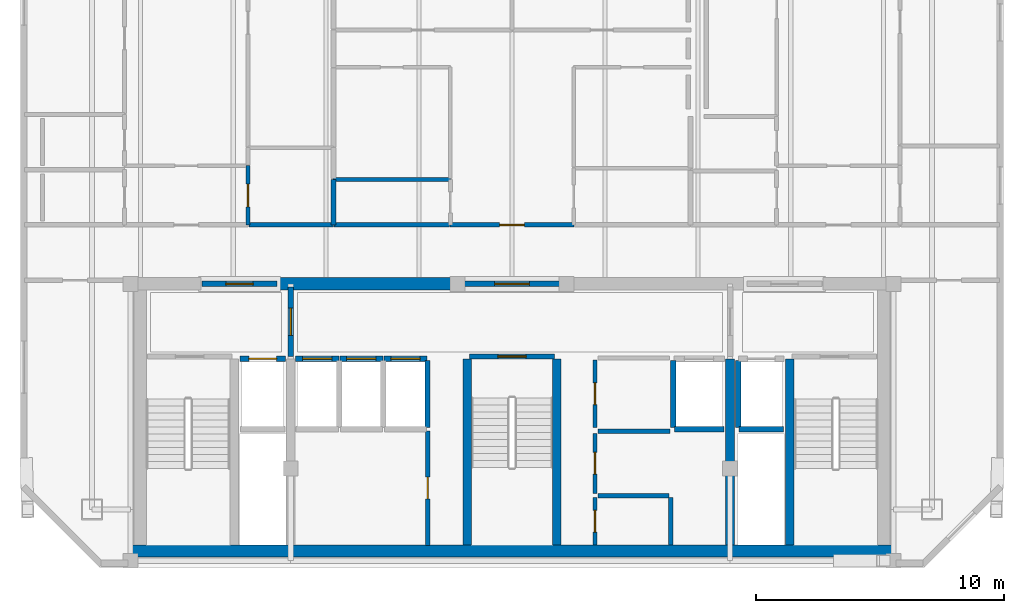
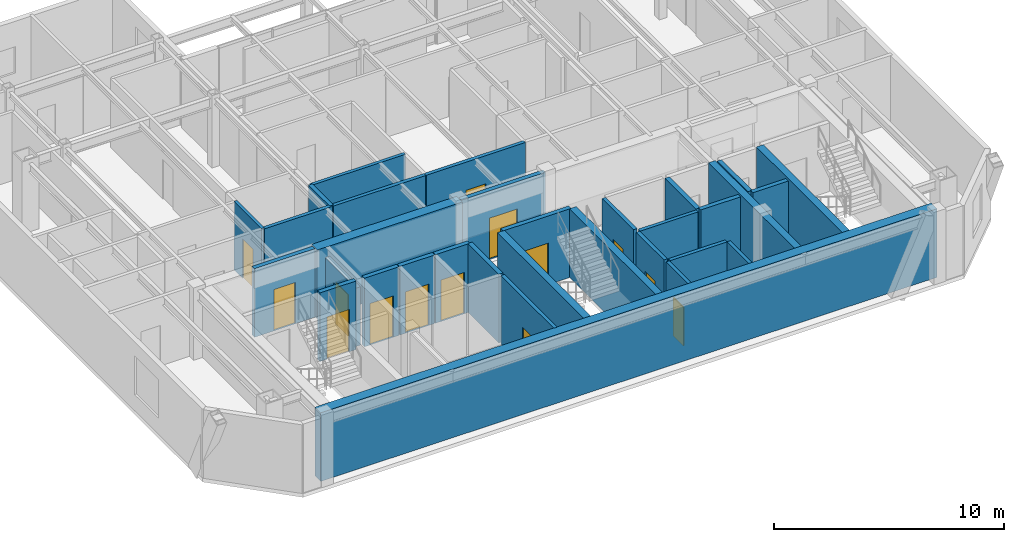
# One storey, part 6 of 10: 32 walls, 14 doors, 14 openings.
"""IFC4 building model written with IfcOpenShell, lengths in metres."""

from ifc_helpers import new_model, si_unit, direction, frame, frame_2d, origin, place, context, subcontext, project, spatial, rectangle, extrude, material, layer, layer_set, type_object, element, fill, save


model = new_model("IFC4")

# Units and contexts
model_context = context("Model", 3, precision=1e-05, world=origin(), true_north=direction((0.0, 1.0)))
body_context = subcontext(model_context, "Body", "Model", "MODEL_VIEW")
ifc_project = project(units=[si_unit("LENGTHUNIT", "METRE"), si_unit("AREAUNIT", "SQUARE_METRE"), si_unit("VOLUMEUNIT", "CUBIC_METRE"), si_unit("PLANEANGLEUNIT", "RADIAN"), si_unit("MASSUNIT", "GRAM", prefix="KILO")], contexts=[model_context])

# Site, building, storey
site_placement = place(None, origin())
site = spatial("IfcSite", under=ifc_project, at=site_placement, CompositionType="ELEMENT")
building_placement = place(site_placement, origin())
building = spatial("IfcBuilding", under=site, at=building_placement, Name="Ventersveld Concourse Tower", CompositionType="ELEMENT")
storey_placement = place(building_placement, frame((0.0, 0.0, 313.050048828125)))
storey = spatial("IfcBuildingStorey", under=building, at=storey_placement, Name="L77", CompositionType="ELEMENT", Elevation=313.050048828125)

# Walls
ifc_material_1 = material(Name="Concrete C50/60", Category="concrete")
ifc_layer_1 = layer(ifc_material_1, 0.35009765625)
ifc_layer_set_1 = layer_set([ifc_layer_1], Name="Concrete C50/60")
wall_type_1 = type_object("IfcWallType", Name="WL-CORE-350U", PredefinedType="SHEAR", material=ifc_layer_set_1)
for number, where, z_axis, x_axis, name in (
    (1, (26.93994140625, 0.919921875, 0.0), (0.0, 0.0, 1.0), (0.0, 1.0, 0.0), "L77 Core Internal Shear Web W-ST3-W"),
    (2, (30.56005859375, 0.919921875, 0.0), (0.0, 0.0, 1.0), (0.0, 1.0, 0.0), "L77 Core Internal Shear Web W-ST3-E"),
    (3, (37.550048828125, 0.919921875, 0.0), (0.0, 0.0, 1.0), (0.0, 1.0, 0.0), "L77 Core Internal Shear Web W-SVL-W"),
    (4, (39.9599609375, 0.919921875, 0.0), (0.0, 0.0, 1.0), (0.0, 1.0, 0.0), "L77 Core Internal Shear Web W-ST2-W"),
):
    element("IfcWall", number, at=place(storey_placement, frame(where, z_axis=z_axis, x_axis=x_axis)), inside=storey, type_object=wall_type_1, Name=name, PredefinedType="SHEAR", context=body_context, shape_type="SweptSolid", body=[
        extrude(rectangle(XDim=7.5, YDim=0.35009765625, at=frame_2d((3.75, 0.0))), origin(), (0.0, 0.0, 1.0), 3.64990234375),
    ])
ifc_layer_2 = layer(ifc_material_1, 0.5)
ifc_layer_set_2 = layer_set([ifc_layer_2], Name="Concrete C50/60")
wall_type_2 = type_object("IfcWallType", Name="WL-CORE-500", PredefinedType="SHEAR", material=ifc_layer_set_2)
wall_1_placement = place(storey_placement, frame((13.25, 0.669921875, 0.0), z_axis=(0.0, 0.0, 1.0), x_axis=(1.0, 0.0, 0.0)))
element("IfcWall", 5, at=wall_1_placement, inside=storey, type_object=wall_type_2, Name="L77 Rear Core South Shear Wall", PredefinedType="SHEAR", context=body_context, shape_type="SweptSolid", body=[
    extrude(rectangle(XDim=31.0, YDim=0.5, at=frame_2d((15.5, 0.0))), origin(), (0.0, 0.0, 1.0), 3.64990234375),
])
wall_2_placement = place(storey_placement, frame((19.300048828125, 11.449951171875, 0.0), z_axis=(0.0, 0.0, 1.0), x_axis=(1.0, 0.0, 0.0)))
element("IfcWall", 6, at=wall_2_placement, inside=storey, type_object=wall_type_2, Name="L77 Rear Core North Shear Wall NML", PredefinedType="SHEAR", context=body_context, shape_type="SweptSolid", body=[
    extrude(rectangle(XDim=7.300048828125, YDim=0.5, at=frame_2d((3.64990234375, 0.0))), origin(), (0.0, 0.0, 1.0), 3.64990234375),
])

# Wall, opening, door
ifc_material_2 = material(Name="Fire-rated autoclaved aerated masonry blockwork", Category="masonry")
ifc_layer_3 = layer(ifc_material_2, 0.179931640625)
ifc_layer_set_3 = layer_set([ifc_layer_3], Name="Fire-rated autoclaved aerated masonry blockwork")
wall_type_3 = type_object("IfcWallType", Name="WL-CORR-180", PredefinedType="PARTITIONING", material=ifc_layer_set_3)
wall_3_placement = place(storey_placement, frame((25.35009765625, 0.89990234375, 0.0), z_axis=(0.0, 0.0, 1.0), x_axis=(0.0, 1.0, 0.0)))
wall_3 = element("IfcWall", 7, at=wall_3_placement, inside=storey, type_object=wall_type_3, Name="L77 Core Passage Wall SP-L77-RECB1A", PredefinedType="PARTITIONING", context=body_context, shape_type="SweptSolid", body=[
    extrude(rectangle(XDim=4.6201171875, YDim=0.179931640625, at=frame_2d((2.31005859375, 0.0))), origin(), (0.0, 0.0, 1.0), 3.64990234375),
])
opening_1_placement = place(wall_3_placement, frame((1.8701171875, 0.0, 0.0)))
opening_1 = element("IfcOpeningElement", 8, at=opening_1_placement, cuts=wall_3, Name="Opening FD5", PredefinedType="OPENING", context=body_context, shape_type="SweptSolid", body=[
    extrude(rectangle(XDim=0.8798828125, YDim=2.050048828125, at=frame_2d((0.43994140625, 1.02490234375))), frame((0.0, 0.10009765625, 0.0), z_axis=(0.0, -1.0, 0.0), x_axis=(1.0, 0.0, 0.0)), (0.0, 0.0, 1.0), 0.199951171875),
])
ifc_material_3 = material(Name="Galvanised painted steel", Category="steel")
door_type_1 = type_object("IfcDoorType", Name="DR-RISER-088", OperationType="NOTDEFINED", PredefinedType="DOOR", material=ifc_material_3)
door_1_placement = place(opening_1_placement, origin())
door_1 = element("IfcDoor", 9, at=door_1_placement, inside=storey, type_object=door_type_1, Name="L77 Core Room Door L77 Reclaimed Core Meeting Pod (CD-L77-3521)", OperationType="SINGLE_SWING_RIGHT", OverallHeight=2.050048828125, OverallWidth=0.8798828125, PredefinedType="DOOR", context=body_context, shape_type="SweptSolid", body=[
    extrude(rectangle(XDim=0.8798828125, YDim=2.050048828125, at=frame_2d((0.43994140625, 1.02490234375))), frame((0.0, 0.02490234375, 0.0), z_axis=(0.0, -1.0, 0.0), x_axis=(1.0, 0.0, 0.0)), (0.0, 0.0, 1.0), 0.050048828125),
])
fill(opening_1, door_1)

wall_4_placement = place(storey_placement, frame((32.10009765625, 0.919921875, 0.0), z_axis=(0.0, 0.0, 1.0), x_axis=(0.0, 1.0, 0.0)))
wall_4 = element("IfcWall", 10, at=wall_4_placement, inside=storey, type_object=wall_type_3, Name="L77 Core Passage Wall SP-L77-RECB2S", PredefinedType="PARTITIONING", context=body_context, shape_type="SweptSolid", body=[
    extrude(rectangle(XDim=1.900146484375, YDim=0.179931640625, at=frame_2d((0.9501953125, 0.0))), origin(), (0.0, 0.0, 1.0), 3.64990234375),
])
opening_2_placement = place(wall_4_placement, frame((0.510009765625, 0.0, 0.0)))
opening_2 = element("IfcOpeningElement", 11, at=opening_2_placement, cuts=wall_4, Name="Opening FD5", PredefinedType="OPENING", context=body_context, shape_type="SweptSolid", body=[
    extrude(rectangle(XDim=0.8798828125, YDim=2.050048828125, at=frame_2d((0.43994140625, 1.02490234375))), frame((0.0, 0.10009765625, 0.0), z_axis=(0.0, -1.0, 0.0), x_axis=(1.0, 0.0, 0.0)), (0.0, 0.0, 1.0), 0.199951171875),
])
door_2_placement = place(opening_2_placement, origin())
door_2 = element("IfcDoor", 12, at=door_2_placement, inside=storey, type_object=door_type_1, Name="L77 Core Room Door L77 Reclaimed Core Archive Store (CD-L77-3522)", OperationType="SINGLE_SWING_LEFT", OverallHeight=2.050048828125, OverallWidth=0.8798828125, PredefinedType="DOOR", context=body_context, shape_type="SweptSolid", body=[
    extrude(rectangle(XDim=0.8798828125, YDim=2.050048828125, at=frame_2d((0.43994140625, 1.02490234375))), frame((0.0, 0.02490234375, 0.0), z_axis=(0.0, -1.0, 0.0), x_axis=(1.0, 0.0, 0.0)), (0.0, 0.0, 1.0), 0.050048828125),
])
fill(opening_2, door_2)

# Walls
wall_5_placement = place(storey_placement, frame((32.219970703125, 2.89990234375, 0.0), z_axis=(0.0, 0.0, 1.0), x_axis=(1.0, 0.0, 0.0)))
element("IfcWall", 13, at=wall_5_placement, inside=storey, type_object=wall_type_3, Name="L77 Core Top Wall SP-L77-RECB2S", PredefinedType="PARTITIONING", context=body_context, shape_type="SweptSolid", body=[
    extrude(rectangle(XDim=2.860107421875, YDim=0.179931640625, at=frame_2d((1.43017578125, 0.0))), origin(), (0.0, 0.0, 1.0), 3.64990234375),
])
wall_6_placement = place(storey_placement, frame((35.159912109375, 0.919921875, 0.0), z_axis=(0.0, 0.0, 1.0), x_axis=(0.0, 1.0, 0.0)))
element("IfcWall", 14, at=wall_6_placement, inside=storey, type_object=wall_type_3, Name="L77 Core East Wall SP-L77-RECB2S", PredefinedType="PARTITIONING", context=body_context, shape_type="SweptSolid", body=[
    extrude(rectangle(XDim=1.900146484375, YDim=0.179931640625, at=frame_2d((0.9501953125, 0.0))), origin(), (0.0, 0.0, 1.0), 3.64990234375),
])

# Wall, opening, door
wall_7_placement = place(storey_placement, frame((32.10009765625, 3.0, 0.0), z_axis=(0.0, 0.0, 1.0), x_axis=(0.0, 1.0, 0.0)))
wall_7 = element("IfcWall", 15, at=wall_7_placement, inside=storey, type_object=wall_type_3, Name="L77 Core Passage Wall SP-L77-RECB2N", PredefinedType="PARTITIONING", context=body_context, shape_type="SweptSolid", body=[
    extrude(rectangle(XDim=2.419921875, YDim=0.179931640625, at=frame_2d((1.2099609375, 0.0))), origin(), (0.0, 0.0, 1.0), 3.64990234375),
])
opening_3_placement = place(wall_7_placement, frame((0.77001953125, 0.0, 0.0)))
opening_3 = element("IfcOpeningElement", 16, at=opening_3_placement, cuts=wall_7, Name="Opening FD5", PredefinedType="OPENING", context=body_context, shape_type="SweptSolid", body=[
    extrude(rectangle(XDim=0.8798828125, YDim=2.050048828125, at=frame_2d((0.43994140625, 1.02490234375))), frame((0.0, 0.10009765625, 0.0), z_axis=(0.0, -1.0, 0.0), x_axis=(1.0, 0.0, 0.0)), (0.0, 0.0, 1.0), 0.199951171875),
])
door_3_placement = place(opening_3_placement, origin())
door_3 = element("IfcDoor", 17, at=door_3_placement, inside=storey, type_object=door_type_1, Name="L77 Core Room Door L77 Reclaimed Core Housekeeping Room (CD-L77-3523)", OperationType="SINGLE_SWING_RIGHT", OverallHeight=2.050048828125, OverallWidth=0.8798828125, PredefinedType="DOOR", context=body_context, shape_type="SweptSolid", body=[
    extrude(rectangle(XDim=0.8798828125, YDim=2.050048828125, at=frame_2d((0.43994140625, 1.02490234375))), frame((0.0, 0.02490234375, 0.0), z_axis=(0.0, -1.0, 0.0), x_axis=(1.0, 0.0, 0.0)), (0.0, 0.0, 1.0), 0.050048828125),
])
fill(opening_3, door_3)

# Wall
wall_8_placement = place(storey_placement, frame((32.219970703125, 5.5, 0.0), z_axis=(0.0, 0.0, 1.0), x_axis=(1.0, 0.0, 0.0)))
element("IfcWall", 18, at=wall_8_placement, inside=storey, type_object=wall_type_3, Name="L77 Core Top Wall SP-L77-RECB2N", PredefinedType="PARTITIONING", context=body_context, shape_type="SweptSolid", body=[
    extrude(rectangle(XDim=2.900146484375, YDim=0.179931640625, at=frame_2d((1.4501953125, 0.0))), origin(), (0.0, 0.0, 1.0), 3.64990234375),
])

# Wall, opening, door
wall_9_placement = place(storey_placement, frame((32.10009765625, 5.64990234375, 0.0), z_axis=(0.0, 0.0, 1.0), x_axis=(0.0, 1.0, 0.0)))
wall_9 = element("IfcWall", 19, at=wall_9_placement, inside=storey, type_object=wall_type_3, Name="L77 Core Passage Wall SP-L77-CBAY1", PredefinedType="PARTITIONING", context=body_context, shape_type="SweptSolid", body=[
    extrude(rectangle(XDim=2.72998046875, YDim=0.179931640625, at=frame_2d((1.364990234375, 0.0))), origin(), (0.0, 0.0, 1.0), 3.64990234375),
])
opening_4_placement = place(wall_9_placement, frame((0.925048828125, 0.0, 0.0)))
opening_4 = element("IfcOpeningElement", 20, at=opening_4_placement, cuts=wall_9, Name="Opening FD5", PredefinedType="OPENING", context=body_context, shape_type="SweptSolid", body=[
    extrude(rectangle(XDim=0.8798828125, YDim=2.050048828125, at=frame_2d((0.43994140625, 1.02490234375))), frame((0.0, 0.10009765625, 0.0), z_axis=(0.0, -1.0, 0.0), x_axis=(1.0, 0.0, 0.0)), (0.0, 0.0, 1.0), 0.199951171875),
])
door_4_placement = place(opening_4_placement, origin())
door_4 = element("IfcDoor", 21, at=door_4_placement, inside=storey, type_object=door_type_1, Name="L77 Core Room Door L77 Core Parcel Store (CD-L77-3524)", OperationType="SINGLE_SWING_LEFT", OverallHeight=2.050048828125, OverallWidth=0.8798828125, PredefinedType="DOOR", context=body_context, shape_type="SweptSolid", body=[
    extrude(rectangle(XDim=0.8798828125, YDim=2.050048828125, at=frame_2d((0.43994140625, 1.02490234375))), frame((0.0, 0.02490234375, 0.0), z_axis=(0.0, -1.0, 0.0), x_axis=(1.0, 0.0, 0.0)), (0.0, 0.0, 1.0), 0.050048828125),
])
fill(opening_4, door_4)

# Wall
wall_10_placement = place(storey_placement, frame((18.126708984375, 13.830078125, 0.0), z_axis=(0.0, 0.0, 1.0), x_axis=(1.0, 0.0, 0.0)))
element("IfcWall", 22, at=wall_10_placement, inside=storey, type_object=wall_type_3, Name="L77 Interior Partition SP-L77-COR-SP-L77-77CW-KIT", PredefinedType="PARTITIONING", context=body_context, shape_type="SweptSolid", body=[
    extrude(rectangle(XDim=3.418212890625, YDim=0.179931640625, at=frame_2d((1.708984375, 0.0))), origin(), (0.0, 0.0, 1.0), 3.64990234375),
])

# Wall, opening, door
wall_11_placement = place(storey_placement, frame((26.2548828125, 13.830078125, 0.0), z_axis=(0.0, 0.0, 1.0), x_axis=(1.0, 0.0, 0.0)))
wall_11 = element("IfcWall", 23, at=wall_11_placement, inside=storey, type_object=wall_type_3, Name="L77 Interior Partition SP-L77-COR-SP-L77-77CM-LIV", PredefinedType="PARTITIONING", context=body_context, shape_type="SweptSolid", body=[
    extrude(rectangle(XDim=4.990234375, YDim=0.179931640625, at=frame_2d((2.4951171875, 0.0))), origin(), (0.0, 0.0, 1.0), 3.64990234375),
])
opening_5_placement = place(wall_11_placement, frame((1.9951171875, 0.0, 0.0)))
opening_5 = element("IfcOpeningElement", 24, at=opening_5_placement, cuts=wall_11, Name="Opening FD3", PredefinedType="OPENING", context=body_context, shape_type="SweptSolid", body=[
    extrude(rectangle(XDim=1.0, YDim=2.14990234375, at=frame_2d((0.5, 1.074951171875))), frame((0.0, 0.10009765625, 0.0), z_axis=(0.0, -1.0, 0.0), x_axis=(1.0, 0.0, 0.0)), (0.0, 0.0, 1.0), 0.199951171875),
])
ifc_material_4 = material(Name="Solid-core hardwood veneer timber", Category="wood")
door_type_2 = type_object("IfcDoorType", Name="DR-FLAT-100", OperationType="NOTDEFINED", PredefinedType="DOOR", material=ifc_material_4)
door_5_placement = place(opening_5_placement, origin())
door_5 = element("IfcDoor", 25, at=door_5_placement, inside=storey, type_object=door_type_2, Name="L77 Interior Door SP-L77-COR to SP-L77-77CM-LIV (FD-L77-3529)", OperationType="SINGLE_SWING_LEFT", OverallHeight=2.14990234375, OverallWidth=1.0, PredefinedType="DOOR", context=body_context, shape_type="SweptSolid", body=[
    extrude(rectangle(XDim=1.0, YDim=2.14990234375, at=frame_2d((0.5, 1.074951171875))), frame((0.0, 0.02490234375, 0.0), z_axis=(0.0, -1.0, 0.0), x_axis=(1.0, 0.0, 0.0)), (0.0, 0.0, 1.0), 0.050048828125),
])
fill(opening_5, door_5)

# Walls
wall_12_placement = place(storey_placement, frame((21.574951171875, 13.830078125, 0.0), z_axis=(0.0, 0.0, 1.0), x_axis=(1.0, 0.0, 0.0)))
element("IfcWall", 26, at=wall_12_placement, inside=storey, type_object=wall_type_3, Name="L77 Interior Partition SP-L77-COR-SP-L77-77CM-BATH", PredefinedType="PARTITIONING", context=body_context, shape_type="SweptSolid", body=[
    extrude(rectangle(XDim=4.650146484375, YDim=0.179931640625, at=frame_2d((2.3251953125, 0.0))), origin(), (0.0, 0.0, 1.0), 3.64990234375),
])
ifc_layer_4 = layer(ifc_material_2, 0.199951171875)
ifc_layer_set_4 = layer_set([ifc_layer_4], Name="Fire-rated autoclaved aerated masonry blockwork")
wall_type_4 = type_object("IfcWallType", Name="WL-DEMISE-200", PredefinedType="PARTITIONING", material=ifc_layer_set_4)
wall_13_placement = place(storey_placement, frame((21.5400390625, 13.824951171875, 0.0), z_axis=(0.0, 0.0, 1.0), x_axis=(0.0, 1.0, 0.0)))
element("IfcWall", 27, at=wall_13_placement, inside=storey, type_object=wall_type_4, Name="L77 Interior Partition SP-L77-77CW-KIT-SP-L77-77CM-BATH", PredefinedType="PARTITIONING", context=body_context, shape_type="SweptSolid", body=[
    extrude(rectangle(XDim=1.840087890625, YDim=0.199951171875, at=frame_2d((0.919921875, 0.0))), origin(), (0.0, 0.0, 1.0), 3.64990234375),
])

# Wall, opening, door
ifc_layer_5 = layer(ifc_material_2, 0.219970703125)
ifc_layer_set_5 = layer_set([ifc_layer_5], Name="Fire-rated autoclaved aerated masonry blockwork")
wall_type_5 = type_object("IfcWallType", Name="WL-HOIST-220", PredefinedType="SOLIDWALL", material=ifc_layer_set_5)
wall_14_placement = place(storey_placement, frame((17.780029296875, 8.429931640625, 0.0), z_axis=(0.0, 0.0, 1.0), x_axis=(1.0, 0.0, 0.0)))
wall_14 = element("IfcWall", 28, at=wall_14_placement, inside=storey, type_object=wall_type_5, Name="L77 Lift Hoistway Front Wall FFL-01", PredefinedType="SOLIDWALL", context=body_context, shape_type="SweptSolid", body=[
    extrude(rectangle(XDim=1.820068359375, YDim=0.219970703125, at=frame_2d((0.91015625, 0.0))), origin(), (0.0, 0.0, 1.0), 3.64990234375),
])
opening_6_placement = place(wall_14_placement, frame((0.35009765625, 0.0, 0.0)))
opening_6 = element("IfcOpeningElement", 29, at=opening_6_placement, cuts=wall_14, Name="Opening LD1", PredefinedType="OPENING", context=body_context, shape_type="SweptSolid", body=[
    extrude(rectangle(XDim=1.1201171875, YDim=2.25, at=frame_2d((0.56005859375, 1.125))), frame((0.0, 0.1201171875, 0.0), z_axis=(0.0, -1.0, 0.0), x_axis=(1.0, 0.0, 0.0)), (0.0, 0.0, 1.0), 0.239990234375),
])
ifc_material_5 = material(Name="Brushed stainless steel 316", Category="steel")
door_type_3 = type_object("IfcDoorType", Name="LD-FF-112", OperationType="SLIDING_TO_LEFT", PredefinedType="DOOR", material=ifc_material_5)
door_6_placement = place(opening_6_placement, origin())
door_6 = element("IfcDoor", 30, at=door_6_placement, inside=storey, type_object=door_type_3, Name="L77 Lift landing door FFL-01 (LD-L77-FFL-01)", OperationType="SLIDING_TO_RIGHT", OverallHeight=2.25, OverallWidth=1.1201171875, PredefinedType="DOOR", context=body_context, shape_type="SweptSolid", body=[
    extrude(rectangle(XDim=1.1201171875, YDim=2.25, at=frame_2d((0.56005859375, 1.125))), frame((0.0, 0.02490234375, 0.0), z_axis=(0.0, -1.0, 0.0), x_axis=(1.0, 0.0, 0.0)), (0.0, 0.0, 1.0), 0.050048828125),
])
fill(opening_6, door_6)

# Walls
wall_15_placement = place(storey_placement, frame((37.919921875, 5.590087890625, 0.0), z_axis=(0.0, 0.0, 1.0), x_axis=(1.0, 0.0, 0.0)))
element("IfcWall", 31, at=wall_15_placement, inside=storey, type_object=wall_type_5, Name="L77 Lift Hoistway Back Wall FFL-02", PredefinedType="SOLIDWALL", context=body_context, shape_type="SweptSolid", body=[
    extrude(rectangle(XDim=1.780029296875, YDim=0.219970703125, at=frame_2d((0.89013671875, 0.0))), origin(), (0.0, 0.0, 1.0), 3.64990234375),
])
wall_16_placement = place(storey_placement, frame((37.8798828125, 5.64990234375, 0.0), z_axis=(0.0, 0.0, 1.0), x_axis=(0.0, 1.0, 0.0)))
element("IfcWall", 32, at=wall_16_placement, inside=storey, type_object=wall_type_5, Name="L77 Lift Hoistway Side Wall FFL-02W", PredefinedType="SOLIDWALL", context=body_context, shape_type="SweptSolid", body=[
    extrude(rectangle(XDim=2.7001953125, YDim=0.219970703125, at=frame_2d((1.35009765625, 0.0))), origin(), (0.0, 0.0, 1.0), 3.64990234375),
])
wall_17_placement = place(storey_placement, frame((35.300048828125, 5.590087890625, 0.0), z_axis=(0.0, 0.0, 1.0), x_axis=(1.0, 0.0, 0.0)))
element("IfcWall", 33, at=wall_17_placement, inside=storey, type_object=wall_type_5, Name="L77 Lift Hoistway Back Wall SVL-01", PredefinedType="SOLIDWALL", context=body_context, shape_type="SweptSolid", body=[
    extrude(rectangle(XDim=2.0, YDim=0.219970703125, at=frame_2d((1.0, 0.0))), origin(), (0.0, 0.0, 1.0), 3.64990234375),
])
wall_18_placement = place(storey_placement, frame((35.260009765625, 5.64990234375, 0.0), z_axis=(0.0, 0.0, 1.0), x_axis=(0.0, 1.0, 0.0)))
element("IfcWall", 34, at=wall_18_placement, inside=storey, type_object=wall_type_5, Name="L77 Lift Hoistway Side Wall SVL-01W", PredefinedType="SOLIDWALL", context=body_context, shape_type="SweptSolid", body=[
    extrude(rectangle(XDim=2.7001953125, YDim=0.219970703125, at=frame_2d((1.35009765625, 0.0))), origin(), (0.0, 0.0, 1.0), 3.64990234375),
])

# Wall, opening, door
wall_19_placement = place(storey_placement, frame((20.02001953125, 8.429931640625, 0.0), z_axis=(0.0, 0.0, 1.0), x_axis=(1.0, 0.0, 0.0)))
wall_19 = element("IfcWall", 35, at=wall_19_placement, inside=storey, type_object=wall_type_5, Name="L77 Lift Hoistway Front Wall PH-01", PredefinedType="SOLIDWALL", context=body_context, shape_type="SweptSolid", body=[
    extrude(rectangle(XDim=1.739990234375, YDim=0.219970703125, at=frame_2d((0.8701171875, 0.0))), origin(), (0.0, 0.0, 1.0), 3.64990234375),
])
opening_7_placement = place(wall_19_placement, frame((0.280029296875, 0.0, 0.0)))
opening_7 = element("IfcOpeningElement", 36, at=opening_7_placement, cuts=wall_19, Name="Opening LD2", PredefinedType="OPENING", context=body_context, shape_type="SweptSolid", body=[
    extrude(rectangle(XDim=1.179931640625, YDim=2.199951171875, at=frame_2d((0.58984375, 1.10009765625))), frame((0.0, 0.1201171875, 0.0), z_axis=(0.0, -1.0, 0.0), x_axis=(1.0, 0.0, 0.0)), (0.0, 0.0, 1.0), 0.239990234375),
])
door_type_4 = type_object("IfcDoorType", Name="LD-PAX-118", OperationType="SLIDING_TO_LEFT", PredefinedType="DOOR", material=ifc_material_5)
door_7_placement = place(opening_7_placement, origin())
door_7 = element("IfcDoor", 37, at=door_7_placement, inside=storey, type_object=door_type_4, Name="L77 Lift landing door PH-01 (LD-L77-PH-01)", OperationType="SLIDING_TO_LEFT", OverallHeight=2.199951171875, OverallWidth=1.179931640625, PredefinedType="DOOR", context=body_context, shape_type="SweptSolid", body=[
    extrude(rectangle(XDim=1.179931640625, YDim=2.199951171875, at=frame_2d((0.58984375, 1.10009765625))), frame((0.0, 0.02490234375, 0.0), z_axis=(0.0, -1.0, 0.0), x_axis=(1.0, 0.0, 0.0)), (0.0, 0.0, 1.0), 0.050048828125),
])
fill(opening_7, door_7)

wall_20_placement = place(storey_placement, frame((21.800048828125, 8.429931640625, 0.0), z_axis=(0.0, 0.0, 1.0), x_axis=(1.0, 0.0, 0.0)))
wall_20 = element("IfcWall", 38, at=wall_20_placement, inside=storey, type_object=wall_type_5, Name="L77 Lift Hoistway Front Wall PH-02", PredefinedType="SOLIDWALL", context=body_context, shape_type="SweptSolid", body=[
    extrude(rectangle(XDim=1.739990234375, YDim=0.219970703125, at=frame_2d((0.8701171875, 0.0))), origin(), (0.0, 0.0, 1.0), 3.64990234375),
])
opening_8_placement = place(wall_20_placement, frame((0.280029296875, 0.0, 0.0)))
opening_8 = element("IfcOpeningElement", 39, at=opening_8_placement, cuts=wall_20, Name="Opening LD2", PredefinedType="OPENING", context=body_context, shape_type="SweptSolid", body=[
    extrude(rectangle(XDim=1.179931640625, YDim=2.199951171875, at=frame_2d((0.58984375, 1.10009765625))), frame((0.0, 0.1201171875, 0.0), z_axis=(0.0, -1.0, 0.0), x_axis=(1.0, 0.0, 0.0)), (0.0, 0.0, 1.0), 0.239990234375),
])
door_8_placement = place(opening_8_placement, origin())
door_8 = element("IfcDoor", 40, at=door_8_placement, inside=storey, type_object=door_type_4, Name="L77 Lift landing door PH-02 (LD-L77-PH-02)", OperationType="SLIDING_TO_RIGHT", OverallHeight=2.199951171875, OverallWidth=1.179931640625, PredefinedType="DOOR", context=body_context, shape_type="SweptSolid", body=[
    extrude(rectangle(XDim=1.179931640625, YDim=2.199951171875, at=frame_2d((0.58984375, 1.10009765625))), frame((0.0, 0.02490234375, 0.0), z_axis=(0.0, -1.0, 0.0), x_axis=(1.0, 0.0, 0.0)), (0.0, 0.0, 1.0), 0.050048828125),
])
fill(opening_8, door_8)

# Wall
wall_21_placement = place(storey_placement, frame((25.340087890625, 5.64990234375, 0.0), z_axis=(0.0, 0.0, 1.0), x_axis=(0.0, 1.0, 0.0)))
element("IfcWall", 41, at=wall_21_placement, inside=storey, type_object=wall_type_5, Name="L77 Lift Hoistway Side Wall PH-03E", PredefinedType="SOLIDWALL", context=body_context, shape_type="SweptSolid", body=[
    extrude(rectangle(XDim=2.7001953125, YDim=0.219970703125, at=frame_2d((1.35009765625, 0.0))), origin(), (0.0, 0.0, 1.0), 3.64990234375),
])

# Wall, opening, door
wall_22_placement = place(storey_placement, frame((23.580078125, 8.429931640625, 0.0), z_axis=(0.0, 0.0, 1.0), x_axis=(1.0, 0.0, 0.0)))
wall_22 = element("IfcWall", 42, at=wall_22_placement, inside=storey, type_object=wall_type_5, Name="L77 Lift Hoistway Front Wall PH-03", PredefinedType="SOLIDWALL", context=body_context, shape_type="SweptSolid", body=[
    extrude(rectangle(XDim=1.739990234375, YDim=0.219970703125, at=frame_2d((0.8701171875, 0.0))), origin(), (0.0, 0.0, 1.0), 3.64990234375),
])
opening_9_placement = place(wall_22_placement, frame((0.280029296875, 0.0, 0.0)))
opening_9 = element("IfcOpeningElement", 43, at=opening_9_placement, cuts=wall_22, Name="Opening LD2", PredefinedType="OPENING", context=body_context, shape_type="SweptSolid", body=[
    extrude(rectangle(XDim=1.179931640625, YDim=2.199951171875, at=frame_2d((0.58984375, 1.10009765625))), frame((0.0, 0.1201171875, 0.0), z_axis=(0.0, -1.0, 0.0), x_axis=(1.0, 0.0, 0.0)), (0.0, 0.0, 1.0), 0.239990234375),
])
door_9_placement = place(opening_9_placement, origin())
door_9 = element("IfcDoor", 44, at=door_9_placement, inside=storey, type_object=door_type_4, Name="L77 Lift landing door PH-03 (LD-L77-PH-03)", OperationType="SLIDING_TO_LEFT", OverallHeight=2.199951171875, OverallWidth=1.179931640625, PredefinedType="DOOR", context=body_context, shape_type="SweptSolid", body=[
    extrude(rectangle(XDim=1.179931640625, YDim=2.199951171875, at=frame_2d((0.58984375, 1.10009765625))), frame((0.0, 0.02490234375, 0.0), z_axis=(0.0, -1.0, 0.0), x_axis=(1.0, 0.0, 0.0)), (0.0, 0.0, 1.0), 0.050048828125),
])
fill(opening_9, door_9)

wall_23_placement = place(storey_placement, frame((27.0400390625, 8.52001953125, 0.0), z_axis=(0.0, 0.0, 1.0), x_axis=(1.0, 0.0, 0.0)))
wall_23 = element("IfcWall", 45, at=wall_23_placement, inside=storey, type_object=wall_type_5, Name="L77 Escape Stair ST03 Fire Wall", PredefinedType="SOLIDWALL", context=body_context, shape_type="SweptSolid", body=[
    extrude(rectangle(XDim=3.419921875, YDim=0.219970703125, at=frame_2d((1.7099609375, 0.0))), origin(), (0.0, 0.0, 1.0), 3.64990234375),
])
opening_10_placement = place(wall_23_placement, frame((1.135009765625, 0.0, 0.0)))
opening_10 = element("IfcOpeningElement", 46, at=opening_10_placement, cuts=wall_23, Name="Opening FD1", PredefinedType="OPENING", context=body_context, shape_type="SweptSolid", body=[
    extrude(rectangle(XDim=1.14990234375, YDim=2.199951171875, at=frame_2d((0.574951171875, 1.10009765625))), frame((0.0, 0.1201171875, 0.0), z_axis=(0.0, -1.0, 0.0), x_axis=(1.0, 0.0, 0.0)), (0.0, 0.0, 1.0), 0.239990234375),
])
door_type_5 = type_object("IfcDoorType", Name="DR-STAIR-115", OperationType="NOTDEFINED", PredefinedType="DOOR", material=ifc_material_3)
door_10_placement = place(opening_10_placement, origin())
door_10 = element("IfcDoor", 47, at=door_10_placement, inside=storey, type_object=door_type_5, Name="L77 Escape Stair Door ST03 (SD-L77-3515)", OperationType="SINGLE_SWING_LEFT", OverallHeight=2.199951171875, OverallWidth=1.14990234375, PredefinedType="DOOR", context=body_context, shape_type="SweptSolid", body=[
    extrude(rectangle(XDim=1.14990234375, YDim=2.199951171875, at=frame_2d((0.574951171875, 1.10009765625))), frame((0.0, 0.02490234375, 0.0), z_axis=(0.0, -1.0, 0.0), x_axis=(1.0, 0.0, 0.0)), (0.0, 0.0, 1.0), 0.050048828125),
])
fill(opening_10, door_10)

wall_24_placement = place(storey_placement, frame((19.820068359375, 8.52001953125, 0.0), z_axis=(0.0, 0.0, 1.0), x_axis=(0.0, 1.0, 0.0)))
wall_24 = element("IfcWall", 48, at=wall_24_placement, inside=storey, type_object=wall_type_5, Name="L77 Firefighting Lobby Smoke-Stop Wall FFLW-SEP", PredefinedType="SOLIDWALL", context=body_context, shape_type="SweptSolid", body=[
    extrude(rectangle(XDim=2.800048828125, YDim=0.219970703125, at=frame_2d((1.39990234375, 0.0))), origin(), (0.0, 0.0, 1.0), 3.10546875),
])
opening_11_placement = place(wall_24_placement, frame((0.85009765625, 0.0, 0.0)))
opening_11 = element("IfcOpeningElement", 49, at=opening_11_placement, cuts=wall_24, Name="Opening FD2", PredefinedType="OPENING", context=body_context, shape_type="SweptSolid", body=[
    extrude(rectangle(XDim=1.10009765625, YDim=2.199951171875, at=frame_2d((0.550048828125, 1.10009765625))), frame((0.0, 0.1201171875, 0.0), z_axis=(0.0, -1.0, 0.0), x_axis=(1.0, 0.0, 0.0)), (0.0, 0.0, 1.0), 0.239990234375),
])
door_type_6 = type_object("IfcDoorType", Name="DR-FFL-110", OperationType="NOTDEFINED", PredefinedType="DOOR", material=ifc_material_3)
door_11_placement = place(opening_11_placement, origin())
door_11 = element("IfcDoor", 50, at=door_11_placement, inside=storey, type_object=door_type_6, Name="L77 Firefighting Lobby Door FFLW-SEP (FD-L77-3516)", OperationType="SINGLE_SWING_LEFT", OverallHeight=2.199951171875, OverallWidth=1.10009765625, PredefinedType="DOOR", context=body_context, shape_type="SweptSolid", body=[
    extrude(rectangle(XDim=1.10009765625, YDim=2.199951171875, at=frame_2d((0.550048828125, 1.10009765625))), frame((0.0, 0.02490234375, 0.0), z_axis=(0.0, -1.0, 0.0), x_axis=(1.0, 0.0, 0.0)), (0.0, 0.0, 1.0), 0.050048828125),
])
fill(opening_11, door_11)

wall_25_placement = place(storey_placement, frame((16.22998046875, 11.449951171875, 0.0), z_axis=(0.0, 0.0, 1.0), x_axis=(1.0, 0.0, 0.0)))
wall_25 = element("IfcWall", 51, at=wall_25_placement, inside=storey, type_object=wall_type_5, Name="L77 Core North Fire Portal FFLW-OUT", PredefinedType="SOLIDWALL", context=body_context, shape_type="SweptSolid", body=[
    extrude(rectangle(XDim=3.0400390625, YDim=0.219970703125, at=frame_2d((1.52001953125, 0.0))), origin(), (0.0, 0.0, 1.0), 3.64990234375),
])
opening_12_placement = place(wall_25_placement, frame((0.969970703125, 0.0, 0.0)))
opening_12 = element("IfcOpeningElement", 52, at=opening_12_placement, cuts=wall_25, Name="Opening FD2", PredefinedType="OPENING", context=body_context, shape_type="SweptSolid", body=[
    extrude(rectangle(XDim=1.10009765625, YDim=2.199951171875, at=frame_2d((0.550048828125, 1.10009765625))), frame((0.0, 0.1201171875, 0.0), z_axis=(0.0, -1.0, 0.0), x_axis=(1.0, 0.0, 0.0)), (0.0, 0.0, 1.0), 0.239990234375),
])
door_12_placement = place(opening_12_placement, origin())
door_12 = element("IfcDoor", 53, at=door_12_placement, inside=storey, type_object=door_type_6, Name="L77 Core Lobby Fire Door FFLW-OUT (FD-L77-3518)", OperationType="SINGLE_SWING_RIGHT", OverallHeight=2.199951171875, OverallWidth=1.10009765625, PredefinedType="DOOR", context=body_context, shape_type="SweptSolid", body=[
    extrude(rectangle(XDim=1.10009765625, YDim=2.199951171875, at=frame_2d((0.550048828125, 1.10009765625))), frame((0.0, 0.02490234375, 0.0), z_axis=(0.0, -1.0, 0.0), x_axis=(1.0, 0.0, 0.0)), (0.0, 0.0, 1.0), 0.050048828125),
])
fill(opening_12, door_12)

wall_26_placement = place(storey_placement, frame((26.6298828125, 11.449951171875, 0.0), z_axis=(0.0, 0.0, 1.0), x_axis=(1.0, 0.0, 0.0)))
wall_26 = element("IfcWall", 54, at=wall_26_placement, inside=storey, type_object=wall_type_5, Name="L77 Core North Fire Portal PLOB-OUT", PredefinedType="SOLIDWALL", context=body_context, shape_type="SweptSolid", body=[
    extrude(rectangle(XDim=4.240234375, YDim=0.219970703125, at=frame_2d((2.1201171875, 0.0))), origin(), (0.0, 0.0, 1.0), 3.64990234375),
])
opening_13_placement = place(wall_26_placement, frame((1.419921875, 0.0, 0.0)))
opening_13 = element("IfcOpeningElement", 55, at=opening_13_placement, cuts=wall_26, Name="Opening FD4", PredefinedType="OPENING", context=body_context, shape_type="SweptSolid", body=[
    extrude(rectangle(XDim=1.39990234375, YDim=2.199951171875, at=frame_2d((0.699951171875, 1.10009765625))), frame((0.0, 0.1201171875, 0.0), z_axis=(0.0, -1.0, 0.0), x_axis=(1.0, 0.0, 0.0)), (0.0, 0.0, 1.0), 0.239990234375),
])
door_type_7 = type_object("IfcDoorType", Name="DR-PLANT-140", OperationType="DOUBLE_DOOR_SINGLE_SWING", PredefinedType="DOOR", material=ifc_material_3)
door_13_placement = place(opening_13_placement, origin())
door_13 = element("IfcDoor", 56, at=door_13_placement, inside=storey, type_object=door_type_7, Name="L77 Core Lobby Fire Door PLOB-OUT (FD-L77-3519)", OperationType="DOUBLE_DOOR_SINGLE_SWING", OverallHeight=2.199951171875, OverallWidth=1.39990234375, PredefinedType="DOOR", context=body_context, shape_type="SweptSolid", body=[
    extrude(rectangle(XDim=1.39990234375, YDim=2.199951171875, at=frame_2d((0.699951171875, 1.10009765625))), frame((0.0, 0.02490234375, 0.0), z_axis=(0.0, -1.0, 0.0), x_axis=(1.0, 0.0, 0.0)), (0.0, 0.0, 1.0), 0.050048828125),
])
fill(opening_13, door_13)

ifc_material_6 = material(Name="Autoclaved aerated masonry blockwork", Category="masonry")
ifc_layer_6 = layer(ifc_material_6, 0.14990234375)
ifc_layer_set_6 = layer_set([ifc_layer_6], Name="Autoclaved aerated masonry blockwork")
wall_type_6 = type_object("IfcWallType", Name="WL-INT-150", PredefinedType="PARTITIONING", material=ifc_layer_set_6)
wall_27_placement = place(storey_placement, frame((18.091796875, 13.824951171875, 0.0), z_axis=(0.0, 0.0, 1.0), x_axis=(0.0, 1.0, 0.0)))
wall_27 = element("IfcWall", 57, at=wall_27_placement, inside=storey, type_object=wall_type_6, Name="L77 Interior Partition SP-L77-77CW-FOY-SP-L77-77CW-KIT", PredefinedType="PARTITIONING", context=body_context, shape_type="SweptSolid", body=[
    extrude(rectangle(XDim=2.396728515625, YDim=0.14990234375, at=frame_2d((1.1982421875, 0.0))), origin(), (0.0, 0.0, 1.0), 3.64990234375),
])
opening_14_placement = place(wall_27_placement, frame((0.73828125, 0.0, 0.0)))
opening_14 = element("IfcOpeningElement", 58, at=opening_14_placement, cuts=wall_27, Name="Opening ID1", PredefinedType="OPENING", context=body_context, shape_type="SweptSolid", body=[
    extrude(rectangle(XDim=0.919921875, YDim=2.10009765625, at=frame_2d((0.4599609375, 1.050048828125))), frame((0.0, 0.0849609375, 0.0), z_axis=(0.0, -1.0, 0.0), x_axis=(1.0, 0.0, 0.0)), (0.0, 0.0, 1.0), 0.169921875),
])
door_type_8 = type_object("IfcDoorType", Name="DR-ROOM-092", OperationType="NOTDEFINED", PredefinedType="DOOR", material=ifc_material_4)
door_14_placement = place(opening_14_placement, origin())
door_14 = element("IfcDoor", 59, at=door_14_placement, inside=storey, type_object=door_type_8, Name="L77 Interior Door SP-L77-77CW-FOY to SP-L77-77CW-KIT (D-L77-3532)", OperationType="SINGLE_SWING_RIGHT", OverallHeight=2.10009765625, OverallWidth=0.919921875, PredefinedType="DOOR", context=body_context, shape_type="SweptSolid", body=[
    extrude(rectangle(XDim=0.919921875, YDim=2.10009765625, at=frame_2d((0.4599609375, 1.050048828125))), frame((0.0, 0.02490234375, 0.0), z_axis=(0.0, -1.0, 0.0), x_axis=(1.0, 0.0, 0.0)), (0.0, 0.0, 1.0), 0.050048828125),
])
fill(opening_14, door_14)

# Wall
ifc_layer_7 = layer(ifc_material_6, 0.1650390625)
ifc_layer_set_7 = layer_set([ifc_layer_7], Name="Autoclaved aerated masonry blockwork")
wall_type_7 = type_object("IfcWallType", Name="WL-WET-165", PredefinedType="PLUMBINGWALL", material=ifc_layer_set_7)
wall_28_placement = place(storey_placement, frame((21.534912109375, 15.659912109375, 0.0), z_axis=(0.0, 0.0, 1.0), x_axis=(1.0, 0.0, 0.0)))
element("IfcWall", 60, at=wall_28_placement, inside=storey, type_object=wall_type_7, Name="L77 Interior Partition SP-L77-77CM-BATH-SP-L77-77CM-MEDL0", PredefinedType="PLUMBINGWALL", context=body_context, shape_type="SweptSolid", body=[
    extrude(rectangle(XDim=4.72998046875, YDim=0.1650390625, at=frame_2d((2.364990234375, 0.0))), origin(), (0.0, 0.0, 1.0), 3.64990234375),
])

save(model, "model.ifc")
